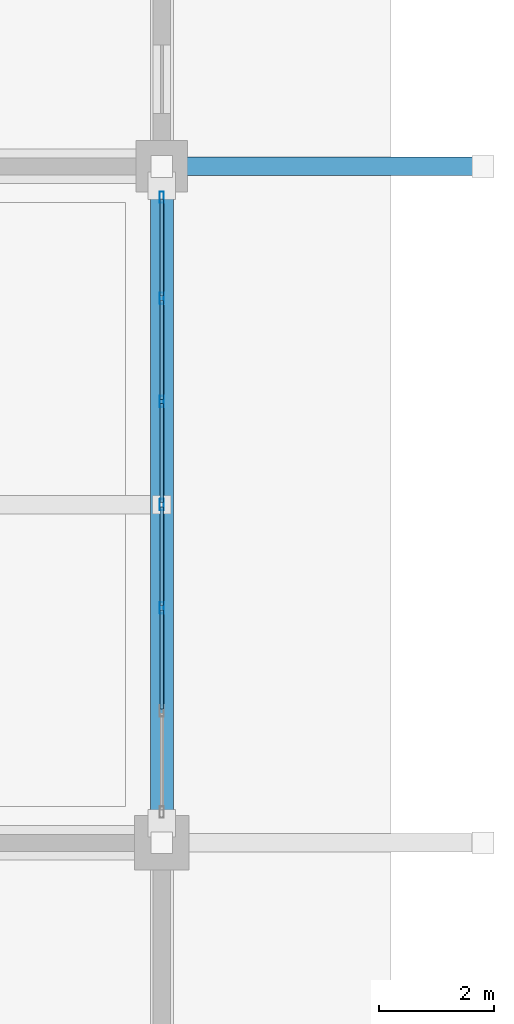
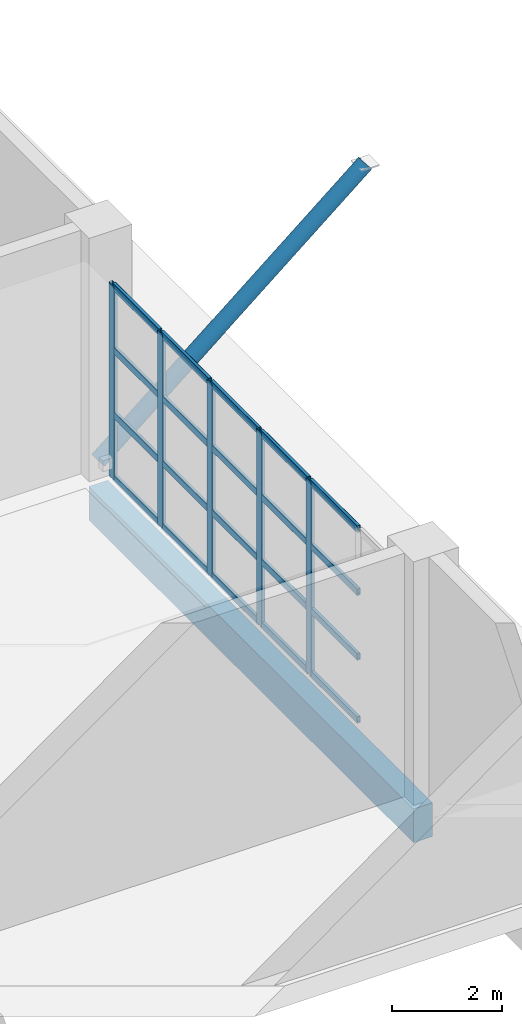
# One storey, part 63 of 124: 26 members, 1 beam, 1 element without a shape of its own.
"""IFC4 building model written with IfcOpenShell, lengths in metres."""

from ifc_helpers import new_model, si_unit, direction, frame, origin, origin_2d, place, context, subcontext, project, spatial, rectangle, hollow_rectangle, hollow_circle, extrude, material, material_profile, profile_set, type_object, element, aggregate, save


model = new_model("IFC4")

# Units and contexts
model_context = context("Model", 3, precision=1e-05, world=origin(), true_north=direction((0.0, 1.0)))
body_context = subcontext(model_context, "Body", "Model", "MODEL_VIEW")
ifc_project = project(units=[si_unit("LENGTHUNIT", "METRE"), si_unit("AREAUNIT", "SQUARE_METRE"), si_unit("VOLUMEUNIT", "CUBIC_METRE"), si_unit("PLANEANGLEUNIT", "RADIAN"), si_unit("MASSUNIT", "GRAM", prefix="KILO")], contexts=[model_context])

# Site, building, storey
site_placement = place(None, origin())
site = spatial("IfcSite", under=ifc_project, at=site_placement, CompositionType="ELEMENT")
building_placement = place(site_placement, origin())
building = spatial("IfcBuilding", under=site, at=building_placement, Name="Brelvane Convention Centre", CompositionType="ELEMENT")
storey_placement = place(building_placement, origin())
storey = spatial("IfcBuildingStorey", under=building, at=storey_placement, Name="L00", CompositionType="ELEMENT", Elevation=0.0)

# Curtain wall, members
ifc_material_1 = material(Name="Anodised Aluminium Alloy 6063-T6", Category="aluminium")
curtain_wall_type = type_object("IfcCurtainWallType", Name="Curtain Wall CW-BOUL", PredefinedType="USERDEFINED", material=ifc_material_1)
curtain_wall_placement = place(storey_placement, origin())
curtain_wall = element("IfcCurtainWall", 1, at=curtain_wall_placement, inside=storey, type_object=curtain_wall_type, Name="Curtain Wall CW-BOUL L00-V5E-CW-L00", ObjectType="UNITISED", PredefinedType="USERDEFINED")
ifc_material_2 = material(Name="Anodised Aluminium Alloy 6063-T6", Category="aluminium")
ifc_material_profile_1 = material_profile(ifc_material_2, hollow_rectangle(XDim=0.074951171875, YDim=0.199951171875, WallThickness=0.0048828125, InnerFilletRadius=0.0048828125, OuterFilletRadius=0.010009765625, at=origin_2d()), Name="ALU-M 200x75x5.0")
ifc_profile_set_1 = profile_set([ifc_material_profile_1], Name="Anodised Aluminium Alloy 6063-T6")
member_type_1 = type_object("IfcMemberType", Name="Curtain Mullion CW-M2", PredefinedType="MULLION", material=ifc_profile_set_1)
member_1_placement = place(storey_placement, frame((224.39990234375, 32.89990234375, 0.0), z_axis=(0.0, 0.0, 1.0), x_axis=(-1.0, 0.0, 0.0)))
member_1 = element("IfcMember", 2, at=member_1_placement, type_object=member_type_1, Name="CW-BOUL mullion 3", PredefinedType="MULLION", context=body_context, shape_type="SweptSolid", body=[
    extrude(hollow_rectangle(XDim=0.074951171875, YDim=0.199951171875, WallThickness=0.0048828125, InnerFilletRadius=0.0048828125, OuterFilletRadius=0.010009765625, at=origin_2d()), origin(), (0.0, 0.0, 1.0), 4.300048828125),
])
member_2_placement = place(storey_placement, frame((224.39990234375, 34.699951171875, 0.0), z_axis=(0.0, 0.0, 1.0), x_axis=(-1.0, 0.0, 0.0)))
member_2 = element("IfcMember", 3, at=member_2_placement, type_object=member_type_1, Name="CW-BOUL mullion 4", PredefinedType="MULLION", context=body_context, shape_type="SweptSolid", body=[
    extrude(hollow_rectangle(XDim=0.074951171875, YDim=0.199951171875, WallThickness=0.0048828125, InnerFilletRadius=0.0048828125, OuterFilletRadius=0.010009765625, at=origin_2d()), origin(), (0.0, 0.0, 1.0), 4.300048828125),
])
member_3_placement = place(storey_placement, frame((224.39990234375, 36.5, 0.0), z_axis=(0.0, 0.0, 1.0), x_axis=(-1.0, 0.0, 0.0)))
member_3 = element("IfcMember", 4, at=member_3_placement, type_object=member_type_1, Name="CW-BOUL mullion 5", PredefinedType="MULLION", context=body_context, shape_type="SweptSolid", body=[
    extrude(hollow_rectangle(XDim=0.074951171875, YDim=0.199951171875, WallThickness=0.0048828125, InnerFilletRadius=0.0048828125, OuterFilletRadius=0.010009765625, at=origin_2d()), origin(), (0.0, 0.0, 1.0), 4.300048828125),
])
member_4_placement = place(storey_placement, frame((224.39990234375, 38.300048828125, 0.0), z_axis=(0.0, 0.0, 1.0), x_axis=(-1.0, 0.0, 0.0)))
member_4 = element("IfcMember", 5, at=member_4_placement, type_object=member_type_1, Name="CW-BOUL mullion 6", PredefinedType="MULLION", context=body_context, shape_type="SweptSolid", body=[
    extrude(hollow_rectangle(XDim=0.074951171875, YDim=0.199951171875, WallThickness=0.0048828125, InnerFilletRadius=0.0048828125, OuterFilletRadius=0.010009765625, at=origin_2d()), origin(), (0.0, 0.0, 1.0), 4.300048828125),
])
member_5_placement = place(storey_placement, frame((224.39990234375, 40.0625, 0.0), z_axis=(0.0, 0.0, 1.0), x_axis=(-1.0, 0.0, 0.0)))
member_5 = element("IfcMember", 6, at=member_5_placement, type_object=member_type_1, Name="CW-BOUL mullion 7", PredefinedType="MULLION", context=body_context, shape_type="SweptSolid", body=[
    extrude(hollow_rectangle(XDim=0.074951171875, YDim=0.199951171875, WallThickness=0.0048828125, InnerFilletRadius=0.0048828125, OuterFilletRadius=0.010009765625, at=origin_2d()), origin(), (0.0, 0.0, 1.0), 4.300048828125),
])
ifc_material_3 = material(Name="Anodised Aluminium Alloy 6063-T6", Category="aluminium")
ifc_material_profile_2 = material_profile(ifc_material_3, hollow_rectangle(XDim=0.070068359375, YDim=0.14990234375, WallThickness=0.00439453125, InnerFilletRadius=0.00439453125, OuterFilletRadius=0.009033203125, at=origin_2d()), Name="ALU-T 150x70x4.5")
ifc_profile_set_2 = profile_set([ifc_material_profile_2], Name="Anodised Aluminium Alloy 6063-T6")
member_type_2 = type_object("IfcMemberType", Name="Curtain Transom CW-T2", PredefinedType="USERDEFINED", material=ifc_profile_set_2)
member_6_placement = place(storey_placement, frame((224.39990234375, 31.137451171875, 0.034912109375), z_axis=(0.0, 1.0, 0.0), x_axis=(-1.0, 0.0, 0.0)))
member_6 = element("IfcMember", 7, at=member_6_placement, type_object=member_type_2, Name="CW-BOUL transom 2.1", ObjectType="TRANSOM", PredefinedType="USERDEFINED", context=body_context, shape_type="SweptSolid", body=[
    extrude(hollow_rectangle(XDim=0.070068359375, YDim=0.14990234375, WallThickness=0.00439453125, InnerFilletRadius=0.00439453125, OuterFilletRadius=0.009033203125, at=origin_2d()), origin(), (0.0, 0.0, 1.0), 1.72509765625),
])
member_7_placement = place(storey_placement, frame((224.39990234375, 31.137451171875, 1.433349609375), z_axis=(0.0, 1.0, 0.0), x_axis=(-1.0, 0.0, 0.0)))
member_7 = element("IfcMember", 8, at=member_7_placement, type_object=member_type_2, Name="CW-BOUL transom 2.2", ObjectType="TRANSOM", PredefinedType="USERDEFINED", context=body_context, shape_type="SweptSolid", body=[
    extrude(hollow_rectangle(XDim=0.070068359375, YDim=0.14990234375, WallThickness=0.00439453125, InnerFilletRadius=0.00439453125, OuterFilletRadius=0.009033203125, at=origin_2d()), origin(), (0.0, 0.0, 1.0), 1.72509765625),
])
member_8_placement = place(storey_placement, frame((224.39990234375, 31.137451171875, 2.86669921875), z_axis=(0.0, 1.0, 0.0), x_axis=(-1.0, 0.0, 0.0)))
member_8 = element("IfcMember", 9, at=member_8_placement, type_object=member_type_2, Name="CW-BOUL transom 2.3", ObjectType="TRANSOM", PredefinedType="USERDEFINED", context=body_context, shape_type="SweptSolid", body=[
    extrude(hollow_rectangle(XDim=0.070068359375, YDim=0.14990234375, WallThickness=0.00439453125, InnerFilletRadius=0.00439453125, OuterFilletRadius=0.009033203125, at=origin_2d()), origin(), (0.0, 0.0, 1.0), 1.72509765625),
])
member_9_placement = place(storey_placement, frame((224.39990234375, 31.137451171875, 4.264892578125), z_axis=(0.0, 1.0, 0.0), x_axis=(-1.0, 0.0, 0.0)))
member_9 = element("IfcMember", 10, at=member_9_placement, type_object=member_type_2, Name="CW-BOUL transom 2.4", ObjectType="TRANSOM", PredefinedType="USERDEFINED", context=body_context, shape_type="SweptSolid", body=[
    extrude(hollow_rectangle(XDim=0.070068359375, YDim=0.14990234375, WallThickness=0.00439453125, InnerFilletRadius=0.00439453125, OuterFilletRadius=0.009033203125, at=origin_2d()), origin(), (0.0, 0.0, 1.0), 1.72509765625),
])
member_10_placement = place(storey_placement, frame((224.39990234375, 32.9375, 0.034912109375), z_axis=(0.0, 1.0, 0.0), x_axis=(-1.0, 0.0, 0.0)))
member_10 = element("IfcMember", 11, at=member_10_placement, type_object=member_type_2, Name="CW-BOUL transom 3.1", ObjectType="TRANSOM", PredefinedType="USERDEFINED", context=body_context, shape_type="SweptSolid", body=[
    extrude(hollow_rectangle(XDim=0.070068359375, YDim=0.14990234375, WallThickness=0.00439453125, InnerFilletRadius=0.00439453125, OuterFilletRadius=0.009033203125, at=origin_2d()), origin(), (0.0, 0.0, 1.0), 1.72509765625),
])
member_11_placement = place(storey_placement, frame((224.39990234375, 32.9375, 1.433349609375), z_axis=(0.0, 1.0, 0.0), x_axis=(-1.0, 0.0, 0.0)))
member_11 = element("IfcMember", 12, at=member_11_placement, type_object=member_type_2, Name="CW-BOUL transom 3.2", ObjectType="TRANSOM", PredefinedType="USERDEFINED", context=body_context, shape_type="SweptSolid", body=[
    extrude(hollow_rectangle(XDim=0.070068359375, YDim=0.14990234375, WallThickness=0.00439453125, InnerFilletRadius=0.00439453125, OuterFilletRadius=0.009033203125, at=origin_2d()), origin(), (0.0, 0.0, 1.0), 1.72509765625),
])
member_12_placement = place(storey_placement, frame((224.39990234375, 32.9375, 2.86669921875), z_axis=(0.0, 1.0, 0.0), x_axis=(-1.0, 0.0, 0.0)))
member_12 = element("IfcMember", 13, at=member_12_placement, type_object=member_type_2, Name="CW-BOUL transom 3.3", ObjectType="TRANSOM", PredefinedType="USERDEFINED", context=body_context, shape_type="SweptSolid", body=[
    extrude(hollow_rectangle(XDim=0.070068359375, YDim=0.14990234375, WallThickness=0.00439453125, InnerFilletRadius=0.00439453125, OuterFilletRadius=0.009033203125, at=origin_2d()), origin(), (0.0, 0.0, 1.0), 1.72509765625),
])
member_13_placement = place(storey_placement, frame((224.39990234375, 32.9375, 4.264892578125), z_axis=(0.0, 1.0, 0.0), x_axis=(-1.0, 0.0, 0.0)))
member_13 = element("IfcMember", 14, at=member_13_placement, type_object=member_type_2, Name="CW-BOUL transom 3.4", ObjectType="TRANSOM", PredefinedType="USERDEFINED", context=body_context, shape_type="SweptSolid", body=[
    extrude(hollow_rectangle(XDim=0.070068359375, YDim=0.14990234375, WallThickness=0.00439453125, InnerFilletRadius=0.00439453125, OuterFilletRadius=0.009033203125, at=origin_2d()), origin(), (0.0, 0.0, 1.0), 1.72509765625),
])
member_14_placement = place(storey_placement, frame((224.39990234375, 34.737548828125, 0.034912109375), z_axis=(0.0, 1.0, 0.0), x_axis=(-1.0, 0.0, 0.0)))
member_14 = element("IfcMember", 15, at=member_14_placement, type_object=member_type_2, Name="CW-BOUL transom 4.1", ObjectType="TRANSOM", PredefinedType="USERDEFINED", context=body_context, shape_type="SweptSolid", body=[
    extrude(hollow_rectangle(XDim=0.070068359375, YDim=0.14990234375, WallThickness=0.00439453125, InnerFilletRadius=0.00439453125, OuterFilletRadius=0.009033203125, at=origin_2d()), origin(), (0.0, 0.0, 1.0), 1.724853515625),
])
member_15_placement = place(storey_placement, frame((224.39990234375, 34.737548828125, 1.433349609375), z_axis=(0.0, 1.0, 0.0), x_axis=(-1.0, 0.0, 0.0)))
member_15 = element("IfcMember", 16, at=member_15_placement, type_object=member_type_2, Name="CW-BOUL transom 4.2", ObjectType="TRANSOM", PredefinedType="USERDEFINED", context=body_context, shape_type="SweptSolid", body=[
    extrude(hollow_rectangle(XDim=0.070068359375, YDim=0.14990234375, WallThickness=0.00439453125, InnerFilletRadius=0.00439453125, OuterFilletRadius=0.009033203125, at=origin_2d()), origin(), (0.0, 0.0, 1.0), 1.724853515625),
])
member_16_placement = place(storey_placement, frame((224.39990234375, 34.737548828125, 2.86669921875), z_axis=(0.0, 1.0, 0.0), x_axis=(-1.0, 0.0, 0.0)))
member_16 = element("IfcMember", 17, at=member_16_placement, type_object=member_type_2, Name="CW-BOUL transom 4.3", ObjectType="TRANSOM", PredefinedType="USERDEFINED", context=body_context, shape_type="SweptSolid", body=[
    extrude(hollow_rectangle(XDim=0.070068359375, YDim=0.14990234375, WallThickness=0.00439453125, InnerFilletRadius=0.00439453125, OuterFilletRadius=0.009033203125, at=origin_2d()), origin(), (0.0, 0.0, 1.0), 1.724853515625),
])
member_17_placement = place(storey_placement, frame((224.39990234375, 34.737548828125, 4.264892578125), z_axis=(0.0, 1.0, 0.0), x_axis=(-1.0, 0.0, 0.0)))
member_17 = element("IfcMember", 18, at=member_17_placement, type_object=member_type_2, Name="CW-BOUL transom 4.4", ObjectType="TRANSOM", PredefinedType="USERDEFINED", context=body_context, shape_type="SweptSolid", body=[
    extrude(hollow_rectangle(XDim=0.070068359375, YDim=0.14990234375, WallThickness=0.00439453125, InnerFilletRadius=0.00439453125, OuterFilletRadius=0.009033203125, at=origin_2d()), origin(), (0.0, 0.0, 1.0), 1.724853515625),
])
member_18_placement = place(storey_placement, frame((224.39990234375, 36.53759765625, 0.034912109375), z_axis=(0.0, 1.0, 0.0), x_axis=(-1.0, 0.0, 0.0)))
member_18 = element("IfcMember", 19, at=member_18_placement, type_object=member_type_2, Name="CW-BOUL transom 5.1", ObjectType="TRANSOM", PredefinedType="USERDEFINED", context=body_context, shape_type="SweptSolid", body=[
    extrude(hollow_rectangle(XDim=0.070068359375, YDim=0.14990234375, WallThickness=0.00439453125, InnerFilletRadius=0.00439453125, OuterFilletRadius=0.009033203125, at=origin_2d()), origin(), (0.0, 0.0, 1.0), 1.724853515625),
])
member_19_placement = place(storey_placement, frame((224.39990234375, 36.53759765625, 1.433349609375), z_axis=(0.0, 1.0, 0.0), x_axis=(-1.0, 0.0, 0.0)))
member_19 = element("IfcMember", 20, at=member_19_placement, type_object=member_type_2, Name="CW-BOUL transom 5.2", ObjectType="TRANSOM", PredefinedType="USERDEFINED", context=body_context, shape_type="SweptSolid", body=[
    extrude(hollow_rectangle(XDim=0.070068359375, YDim=0.14990234375, WallThickness=0.00439453125, InnerFilletRadius=0.00439453125, OuterFilletRadius=0.009033203125, at=origin_2d()), origin(), (0.0, 0.0, 1.0), 1.724853515625),
])
member_20_placement = place(storey_placement, frame((224.39990234375, 36.53759765625, 2.86669921875), z_axis=(0.0, 1.0, 0.0), x_axis=(-1.0, 0.0, 0.0)))
member_20 = element("IfcMember", 21, at=member_20_placement, type_object=member_type_2, Name="CW-BOUL transom 5.3", ObjectType="TRANSOM", PredefinedType="USERDEFINED", context=body_context, shape_type="SweptSolid", body=[
    extrude(hollow_rectangle(XDim=0.070068359375, YDim=0.14990234375, WallThickness=0.00439453125, InnerFilletRadius=0.00439453125, OuterFilletRadius=0.009033203125, at=origin_2d()), origin(), (0.0, 0.0, 1.0), 1.724853515625),
])
member_21_placement = place(storey_placement, frame((224.39990234375, 36.53759765625, 4.264892578125), z_axis=(0.0, 1.0, 0.0), x_axis=(-1.0, 0.0, 0.0)))
member_21 = element("IfcMember", 22, at=member_21_placement, type_object=member_type_2, Name="CW-BOUL transom 5.4", ObjectType="TRANSOM", PredefinedType="USERDEFINED", context=body_context, shape_type="SweptSolid", body=[
    extrude(hollow_rectangle(XDim=0.070068359375, YDim=0.14990234375, WallThickness=0.00439453125, InnerFilletRadius=0.00439453125, OuterFilletRadius=0.009033203125, at=origin_2d()), origin(), (0.0, 0.0, 1.0), 1.724853515625),
])
member_22_placement = place(storey_placement, frame((224.39990234375, 38.33740234375, 0.034912109375), z_axis=(0.0, 1.0, 0.0), x_axis=(-1.0, 0.0, 0.0)))
member_22 = element("IfcMember", 23, at=member_22_placement, type_object=member_type_2, Name="CW-BOUL transom 6.1", ObjectType="TRANSOM", PredefinedType="USERDEFINED", context=body_context, shape_type="SweptSolid", body=[
    extrude(hollow_rectangle(XDim=0.070068359375, YDim=0.14990234375, WallThickness=0.00439453125, InnerFilletRadius=0.00439453125, OuterFilletRadius=0.009033203125, at=origin_2d()), origin(), (0.0, 0.0, 1.0), 1.6875),
])
member_23_placement = place(storey_placement, frame((224.39990234375, 38.33740234375, 1.433349609375), z_axis=(0.0, 1.0, 0.0), x_axis=(-1.0, 0.0, 0.0)))
member_23 = element("IfcMember", 24, at=member_23_placement, type_object=member_type_2, Name="CW-BOUL transom 6.2", ObjectType="TRANSOM", PredefinedType="USERDEFINED", context=body_context, shape_type="SweptSolid", body=[
    extrude(hollow_rectangle(XDim=0.070068359375, YDim=0.14990234375, WallThickness=0.00439453125, InnerFilletRadius=0.00439453125, OuterFilletRadius=0.009033203125, at=origin_2d()), origin(), (0.0, 0.0, 1.0), 1.6875),
])
member_24_placement = place(storey_placement, frame((224.39990234375, 38.33740234375, 2.86669921875), z_axis=(0.0, 1.0, 0.0), x_axis=(-1.0, 0.0, 0.0)))
member_24 = element("IfcMember", 25, at=member_24_placement, type_object=member_type_2, Name="CW-BOUL transom 6.3", ObjectType="TRANSOM", PredefinedType="USERDEFINED", context=body_context, shape_type="SweptSolid", body=[
    extrude(hollow_rectangle(XDim=0.070068359375, YDim=0.14990234375, WallThickness=0.00439453125, InnerFilletRadius=0.00439453125, OuterFilletRadius=0.009033203125, at=origin_2d()), origin(), (0.0, 0.0, 1.0), 1.6875),
])
member_25_placement = place(storey_placement, frame((224.39990234375, 38.33740234375, 4.264892578125), z_axis=(0.0, 1.0, 0.0), x_axis=(-1.0, 0.0, 0.0)))
member_25 = element("IfcMember", 26, at=member_25_placement, type_object=member_type_2, Name="CW-BOUL transom 6.4", ObjectType="TRANSOM", PredefinedType="USERDEFINED", context=body_context, shape_type="SweptSolid", body=[
    extrude(hollow_rectangle(XDim=0.070068359375, YDim=0.14990234375, WallThickness=0.00439453125, InnerFilletRadius=0.00439453125, OuterFilletRadius=0.009033203125, at=origin_2d()), origin(), (0.0, 0.0, 1.0), 1.6875),
])
aggregate(curtain_wall, [member_1, member_2, member_3, member_4, member_5, member_6, member_7, member_8, member_9, member_10, member_11, member_12, member_13, member_14, member_15, member_16, member_17, member_18, member_19, member_20, member_21, member_22, member_23, member_24, member_25])

# Beam
ifc_material_4 = material(Name="Concrete M40", Category="concrete")
ifc_material_profile_3 = material_profile(ifc_material_4, rectangle(XDim=0.39990234375, YDim=0.75, at=origin_2d()), Name="RC 400x750")
ifc_profile_set_3 = profile_set([ifc_material_profile_3], Name="Concrete M40")
beam_type = type_object("IfcBeamType", Name="RC Spandrel SP-RC1 (RC 400x750)", PredefinedType="SPANDREL", material=ifc_profile_set_3)
beam_placement = place(storey_placement, frame((224.39990234375, 28.800048828125, -0.8349609375), z_axis=(0.0, 1.0, 0.0), x_axis=(-1.0, 0.0, 0.0)))
element("IfcBeam", 27, at=beam_placement, inside=storey, type_object=beam_type, Name="L00 Girder 23/D-E", PredefinedType="SPANDREL", context=body_context, shape_type="SweptSolid", body=[
    extrude(rectangle(XDim=0.39990234375, YDim=0.75, at=origin_2d()), origin(), (0.0, 0.0, 1.0), 11.800048828125),
])

# Member
ifc_material_5 = material(Name="Steel E450 (450 MPa)", Category="steel")
ifc_material_profile_4 = material_profile(ifc_material_5, hollow_circle(Radius=0.161865234375, WallThickness=0.012451171875, at=origin_2d()), Name="CHS 323.9x12.5")
ifc_profile_set_4 = profile_set([ifc_material_profile_4], Name="Steel E450 (450 MPa)")
member_type_3 = type_object("IfcMemberType", Name="Steel Strut HS-ST2 (CHS 323.9x12.5)", PredefinedType="STRUT", material=ifc_profile_set_4)
member_26_placement = place(storey_placement, frame((224.39990234375, 40.60009765625, 0.050048828125), z_axis=(0.770710637556, 0.0, 0.637185305197), x_axis=(0.0, 1.0, 0.0)))
element("IfcMember", 28, at=member_26_placement, inside=storey, type_object=member_type_3, Name="Plenary East Overhang Raked Strut L01 Y40", PredefinedType="STRUT", context=body_context, shape_type="SweptSolid", body=[
    extrude(hollow_circle(Radius=0.161865234375, WallThickness=0.012451171875, at=origin_2d()), origin(), (0.0, 0.0, 1.0), 7.26611328125),
])

save(model, "model.ifc")
